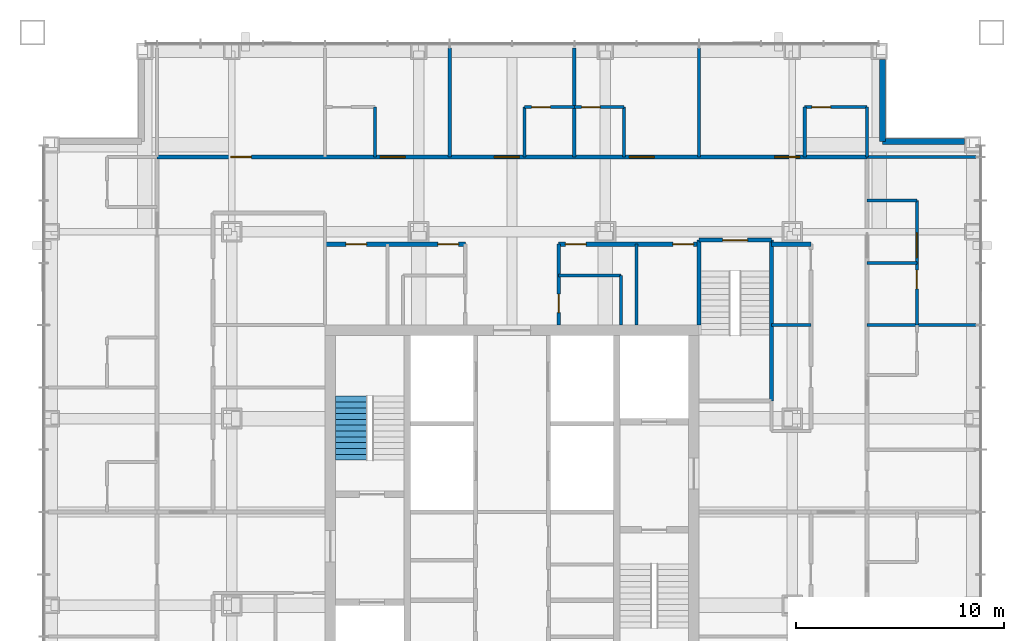
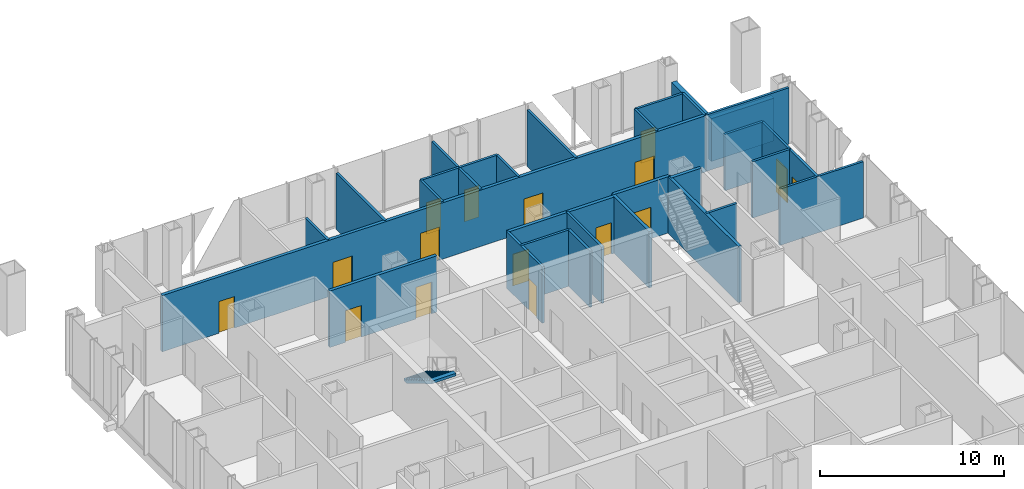
# One storey, part 16 of 18: 31 walls, 16 doors, 1 stair flight, 16 openings, 1 element without a shape of its own.
"""IFC4 building model written with IfcOpenShell, lengths in metres."""

from ifc_helpers import new_model, si_unit, direction, frame, frame_2d, origin, place, context, subcontext, project, spatial, polyline, rectangle, outline, extrude, material, layer, layer_set, type_object, element, fill, aggregate, save


model = new_model("IFC4")

# Units and contexts
model_context = context("Model", 3, precision=1e-05, world=origin(), true_north=direction((0.0, 1.0)))
body_context = subcontext(model_context, "Body", "Model", "MODEL_VIEW")
ifc_project = project(units=[si_unit("LENGTHUNIT", "METRE"), si_unit("AREAUNIT", "SQUARE_METRE"), si_unit("VOLUMEUNIT", "CUBIC_METRE"), si_unit("PLANEANGLEUNIT", "RADIAN"), si_unit("MASSUNIT", "GRAM", prefix="KILO")], contexts=[model_context])

# Site, building, storey
site_placement = place(None, origin())
site = spatial("IfcSite", under=ifc_project, at=site_placement, CompositionType="ELEMENT")
building_placement = place(site_placement, origin())
building = spatial("IfcBuilding", under=site, at=building_placement, Name="Malebo Sky Hospital", CompositionType="ELEMENT")
storey_placement = place(building_placement, frame((0.0, 0.0, 225.0)))
storey = spatial("IfcBuildingStorey", under=building, at=storey_placement, Name="L54", CompositionType="ELEMENT", Elevation=225.0)

# Wall, openings, doors
ifc_material_1 = material(Name="Gypsum board on steel studs", Category="steel")
ifc_layer_1 = layer(ifc_material_1, 0.199951171875)
ifc_layer_set_1 = layer_set([ifc_layer_1], Name="CORRIDOR WALL 200")
wall_type_1 = type_object("IfcWallType", Name="CORRIDOR WALL 200", PredefinedType="PARTITIONING", material=ifc_layer_set_1)
wall_1_placement = place(storey_placement, frame((42.89990234375, 79.10009765625, 0.0), z_axis=(0.0, 0.0, 1.0), x_axis=(1.0, 0.0, 0.0)))
wall_1 = element("IfcWall", 1, at=wall_1_placement, inside=storey, type_object=wall_type_1, Name="Corridor Wall 200 NCO", PredefinedType="PARTITIONING", context=body_context, shape_type="SweptSolid", body=[
    extrude(rectangle(XDim=34.2001953125, YDim=0.199951171875, at=frame_2d((17.10009765625, 0.0))), origin(), (0.0, 0.0, 1.0), 3.75),
])
opening_1_placement = place(wall_1_placement, frame((3.550048828125, 0.0, 0.0)))
opening_1 = element("IfcOpeningElement", 2, at=opening_1_placement, cuts=wall_1, Name="Opening D03", PredefinedType="OPENING", context=body_context, shape_type="SweptSolid", body=[
    extrude(rectangle(XDim=1.0, YDim=2.10009765625, at=frame_2d((0.5, 1.050048828125))), frame((0.0, 0.10986328125, 0.0), z_axis=(0.0, -1.0, 0.0), x_axis=(1.0, 0.0, 0.0)), (0.0, 0.0, 1.0), 0.219970703125),
])
opening_2_placement = place(wall_1_placement, frame((10.75, 0.0, 0.0)))
opening_2 = element("IfcOpeningElement", 3, at=opening_2_placement, cuts=wall_1, Name="Opening D01", PredefinedType="OPENING", context=body_context, shape_type="SweptSolid", body=[
    extrude(rectangle(XDim=1.199951171875, YDim=2.199951171875, at=frame_2d((0.60009765625, 1.10009765625))), frame((0.0, 0.10986328125, 0.0), z_axis=(0.0, -1.0, 0.0), x_axis=(1.0, 0.0, 0.0)), (0.0, 0.0, 1.0), 0.219970703125),
])
opening_3_placement = place(wall_1_placement, frame((16.25, 0.0, 0.0)))
opening_3 = element("IfcOpeningElement", 4, at=opening_3_placement, cuts=wall_1, Name="Opening D01", PredefinedType="OPENING", context=body_context, shape_type="SweptSolid", body=[
    extrude(rectangle(XDim=1.199951171875, YDim=2.199951171875, at=frame_2d((0.60009765625, 1.10009765625))), frame((0.0, 0.10986328125, 0.0), z_axis=(0.0, -1.0, 0.0), x_axis=(1.0, 0.0, 0.0)), (0.0, 0.0, 1.0), 0.219970703125),
])
opening_4_placement = place(wall_1_placement, frame((22.75, 0.0, 0.0)))
opening_4 = element("IfcOpeningElement", 5, at=opening_4_placement, cuts=wall_1, Name="Opening D01", PredefinedType="OPENING", context=body_context, shape_type="SweptSolid", body=[
    extrude(rectangle(XDim=1.199951171875, YDim=2.199951171875, at=frame_2d((0.60009765625, 1.10009765625))), frame((0.0, 0.10986328125, 0.0), z_axis=(0.0, -1.0, 0.0), x_axis=(1.0, 0.0, 0.0)), (0.0, 0.0, 1.0), 0.219970703125),
])
opening_5_placement = place(wall_1_placement, frame((29.75, 0.0, 0.0)))
opening_5 = element("IfcOpeningElement", 6, at=opening_5_placement, cuts=wall_1, Name="Opening D01", PredefinedType="OPENING", context=body_context, shape_type="SweptSolid", body=[
    extrude(rectangle(XDim=1.199951171875, YDim=2.199951171875, at=frame_2d((0.60009765625, 1.10009765625))), frame((0.0, 0.10986328125, 0.0), z_axis=(0.0, -1.0, 0.0), x_axis=(1.0, 0.0, 0.0)), (0.0, 0.0, 1.0), 0.219970703125),
])
ifc_material_2 = material(Name="Hardwood-faced door leaf in steel frame", Category="steel")
door_type_1 = type_object("IfcDoorType", Name="BED DOOR 1200", OperationType="SINGLE_SWING_LEFT", PredefinedType="DOOR", material=ifc_material_2)
door_1_placement = place(opening_2_placement, origin())
door_1 = element("IfcDoor", 7, at=door_1_placement, inside=storey, type_object=door_type_1, Name="Single bed room door", OperationType="SINGLE_SWING_LEFT", OverallHeight=2.199951171875, OverallWidth=1.199951171875, PredefinedType="DOOR", context=body_context, shape_type="SweptSolid", body=[
    extrude(rectangle(XDim=1.199951171875, YDim=2.199951171875, at=frame_2d((0.60009765625, 1.10009765625))), frame((0.0, 0.02490234375, 0.0), z_axis=(0.0, -1.0, 0.0), x_axis=(1.0, 0.0, 0.0)), (0.0, 0.0, 1.0), 0.050048828125),
])
fill(opening_2, door_1)
door_2_placement = place(opening_3_placement, origin())
door_2 = element("IfcDoor", 8, at=door_2_placement, inside=storey, type_object=door_type_1, Name="Single bed room door", OperationType="SINGLE_SWING_RIGHT", OverallHeight=2.199951171875, OverallWidth=1.199951171875, PredefinedType="DOOR", context=body_context, shape_type="SweptSolid", body=[
    extrude(rectangle(XDim=1.199951171875, YDim=2.199951171875, at=frame_2d((0.60009765625, 1.10009765625))), frame((0.0, 0.02490234375, 0.0), z_axis=(0.0, -1.0, 0.0), x_axis=(1.0, 0.0, 0.0)), (0.0, 0.0, 1.0), 0.050048828125),
])
fill(opening_3, door_2)
door_3_placement = place(opening_4_placement, origin())
door_3 = element("IfcDoor", 9, at=door_3_placement, inside=storey, type_object=door_type_1, Name="Single bed room door", OperationType="SINGLE_SWING_LEFT", OverallHeight=2.199951171875, OverallWidth=1.199951171875, PredefinedType="DOOR", context=body_context, shape_type="SweptSolid", body=[
    extrude(rectangle(XDim=1.199951171875, YDim=2.199951171875, at=frame_2d((0.60009765625, 1.10009765625))), frame((0.0, 0.02490234375, 0.0), z_axis=(0.0, -1.0, 0.0), x_axis=(1.0, 0.0, 0.0)), (0.0, 0.0, 1.0), 0.050048828125),
])
fill(opening_4, door_3)
door_4_placement = place(opening_5_placement, origin())
door_4 = element("IfcDoor", 10, at=door_4_placement, inside=storey, type_object=door_type_1, Name="Two-bed room door", OperationType="SINGLE_SWING_RIGHT", OverallHeight=2.199951171875, OverallWidth=1.199951171875, PredefinedType="DOOR", context=body_context, shape_type="SweptSolid", body=[
    extrude(rectangle(XDim=1.199951171875, YDim=2.199951171875, at=frame_2d((0.60009765625, 1.10009765625))), frame((0.0, 0.02490234375, 0.0), z_axis=(0.0, -1.0, 0.0), x_axis=(1.0, 0.0, 0.0)), (0.0, 0.0, 1.0), 0.050048828125),
])
fill(opening_5, door_4)
door_type_2 = type_object("IfcDoorType", Name="ROOM DOOR 1000", OperationType="SINGLE_SWING_LEFT", PredefinedType="DOOR", material=ifc_material_2)
door_5_placement = place(opening_1_placement, origin())
door_5 = element("IfcDoor", 11, at=door_5_placement, inside=storey, type_object=door_type_2, Name="School room door", OperationType="SINGLE_SWING_LEFT", OverallHeight=2.10009765625, OverallWidth=1.0, PredefinedType="DOOR", context=body_context, shape_type="SweptSolid", body=[
    extrude(rectangle(XDim=1.0, YDim=2.10009765625, at=frame_2d((0.5, 1.050048828125))), frame((0.0, 0.02490234375, 0.0), z_axis=(0.0, -1.0, 0.0), x_axis=(1.0, 0.0, 0.0)), (0.0, 0.0, 1.0), 0.050048828125),
])
fill(opening_1, door_5)

wall_2_placement = place(storey_placement, frame((51.0, 74.89990234375, 0.0), z_axis=(0.0, 0.0, 1.0), x_axis=(1.0, 0.0, 0.0)))
wall_2 = element("IfcWall", 12, at=wall_2_placement, inside=storey, type_object=wall_type_1, Name="Corridor Wall 200 NCI1", PredefinedType="PARTITIONING", context=body_context, shape_type="SweptSolid", body=[
    extrude(rectangle(XDim=6.75, YDim=0.199951171875, at=frame_2d((3.375, 0.0))), origin(), (0.0, 0.0, 1.0), 3.75),
])
opening_6_placement = place(wall_2_placement, frame((1.0, 0.0, 0.0)))
opening_6 = element("IfcOpeningElement", 13, at=opening_6_placement, cuts=wall_2, Name="Opening D03", PredefinedType="OPENING", context=body_context, shape_type="SweptSolid", body=[
    extrude(rectangle(XDim=1.0, YDim=2.10009765625, at=frame_2d((0.5, 1.050048828125))), frame((0.0, 0.10986328125, 0.0), z_axis=(0.0, -1.0, 0.0), x_axis=(1.0, 0.0, 0.0)), (0.0, 0.0, 1.0), 0.219970703125),
])
opening_7_placement = place(wall_2_placement, frame((5.425048828125, 0.0, 0.0)))
opening_7 = element("IfcOpeningElement", 14, at=opening_7_placement, cuts=wall_2, Name="Opening D03", PredefinedType="OPENING", context=body_context, shape_type="SweptSolid", body=[
    extrude(rectangle(XDim=1.0, YDim=2.10009765625, at=frame_2d((0.5, 1.050048828125))), frame((0.0, 0.10986328125, 0.0), z_axis=(0.0, -1.0, 0.0), x_axis=(1.0, 0.0, 0.0)), (0.0, 0.0, 1.0), 0.219970703125),
])
door_6_placement = place(opening_6_placement, origin())
door_6 = element("IfcDoor", 15, at=door_6_placement, inside=storey, type_object=door_type_2, Name="Sensory room door", OperationType="SINGLE_SWING_LEFT", OverallHeight=2.10009765625, OverallWidth=1.0, PredefinedType="DOOR", context=body_context, shape_type="SweptSolid", body=[
    extrude(rectangle(XDim=1.0, YDim=2.10009765625, at=frame_2d((0.5, 1.050048828125))), frame((0.0, 0.02490234375, 0.0), z_axis=(0.0, -1.0, 0.0), x_axis=(1.0, 0.0, 0.0)), (0.0, 0.0, 1.0), 0.050048828125),
])
fill(opening_6, door_6)
door_7_placement = place(opening_7_placement, origin())
door_7 = element("IfcDoor", 16, at=door_7_placement, inside=storey, type_object=door_type_2, Name="Equipment store door", OperationType="SINGLE_SWING_RIGHT", OverallHeight=2.10009765625, OverallWidth=1.0, PredefinedType="DOOR", context=body_context, shape_type="SweptSolid", body=[
    extrude(rectangle(XDim=1.0, YDim=2.10009765625, at=frame_2d((0.5, 1.050048828125))), frame((0.0, 0.02490234375, 0.0), z_axis=(0.0, -1.0, 0.0), x_axis=(1.0, 0.0, 0.0)), (0.0, 0.0, 1.0), 0.050048828125),
])
fill(opening_7, door_7)

wall_3_placement = place(storey_placement, frame((62.25, 74.89990234375, 0.0), z_axis=(0.0, 0.0, 1.0), x_axis=(1.0, 0.0, 0.0)))
wall_3 = element("IfcWall", 17, at=wall_3_placement, inside=storey, type_object=wall_type_1, Name="Corridor Wall 200 NCI2", PredefinedType="PARTITIONING", context=body_context, shape_type="SweptSolid", body=[
    extrude(rectangle(XDim=6.75, YDim=0.199951171875, at=frame_2d((3.375, 0.0))), origin(), (0.0, 0.0, 1.0), 3.75),
])
opening_8_placement = place(wall_3_placement, frame((0.324951171875, 0.0, 0.0)))
opening_8 = element("IfcOpeningElement", 18, at=opening_8_placement, cuts=wall_3, Name="Opening D03", PredefinedType="OPENING", context=body_context, shape_type="SweptSolid", body=[
    extrude(rectangle(XDim=1.0, YDim=2.10009765625, at=frame_2d((0.5, 1.050048828125))), frame((0.0, 0.10986328125, 0.0), z_axis=(0.0, -1.0, 0.0), x_axis=(1.0, 0.0, 0.0)), (0.0, 0.0, 1.0), 0.219970703125),
])
opening_9_placement = place(wall_3_placement, frame((5.5, 0.0, 0.0)))
opening_9 = element("IfcOpeningElement", 19, at=opening_9_placement, cuts=wall_3, Name="Opening D03", PredefinedType="OPENING", context=body_context, shape_type="SweptSolid", body=[
    extrude(rectangle(XDim=1.0, YDim=2.10009765625, at=frame_2d((0.5, 1.050048828125))), frame((0.0, 0.10986328125, 0.0), z_axis=(0.0, -1.0, 0.0), x_axis=(1.0, 0.0, 0.0)), (0.0, 0.0, 1.0), 0.219970703125),
])
door_8_placement = place(opening_8_placement, origin())
door_8 = element("IfcDoor", 20, at=door_8_placement, inside=storey, type_object=door_type_2, Name="Medication room door", OperationType="SINGLE_SWING_LEFT", OverallHeight=2.10009765625, OverallWidth=1.0, PredefinedType="DOOR", context=body_context, shape_type="SweptSolid", body=[
    extrude(rectangle(XDim=1.0, YDim=2.10009765625, at=frame_2d((0.5, 1.050048828125))), frame((0.0, 0.02490234375, 0.0), z_axis=(0.0, -1.0, 0.0), x_axis=(1.0, 0.0, 0.0)), (0.0, 0.0, 1.0), 0.050048828125),
])
fill(opening_8, door_8)
door_9_placement = place(opening_9_placement, origin())
door_9 = element("IfcDoor", 21, at=door_9_placement, inside=storey, type_object=door_type_2, Name="Teenage lounge door", OperationType="SINGLE_SWING_RIGHT", OverallHeight=2.10009765625, OverallWidth=1.0, PredefinedType="DOOR", context=body_context, shape_type="SweptSolid", body=[
    extrude(rectangle(XDim=1.0, YDim=2.10009765625, at=frame_2d((0.5, 1.050048828125))), frame((0.0, 0.02490234375, 0.0), z_axis=(0.0, -1.0, 0.0), x_axis=(1.0, 0.0, 0.0)), (0.0, 0.0, 1.0), 0.050048828125),
])
fill(opening_9, door_9)

# Walls
wall_4_placement = place(storey_placement, frame((72.5, 74.89990234375, 0.0), z_axis=(0.0, 0.0, 1.0), x_axis=(1.0, 0.0, 0.0)))
element("IfcWall", 22, at=wall_4_placement, inside=storey, type_object=wall_type_1, Name="Corridor Wall 200 NCI2/2", PredefinedType="PARTITIONING", context=body_context, shape_type="SweptSolid", body=[
    extrude(rectangle(XDim=1.89990234375, YDim=0.199951171875, at=frame_2d((0.949951171875, 0.0))), origin(), (0.0, 0.0, 1.0), 3.75),
])
ifc_material_3 = material(Name="Anodised aluminium rainscreen on steel framing", Category="steel")
ifc_layer_2 = layer(ifc_material_3, 0.300048828125)
ifc_layer_set_2 = layer_set([ifc_layer_2], Name="NOTCH RAINSCREEN WALL 300")
wall_type_2 = type_object("IfcWallType", Name="NOTCH RAINSCREEN WALL 300", PredefinedType="ELEMENTEDWALL", material=ifc_layer_set_2)
for number, where, z_axis, x_axis, name in (
    (23, (77.85009765625, 83.800048828125, 0.0), (0.0, 0.0, 1.0), (0.0, -1.0, 0.0), "Notch rainscreen wall N1 L54"),
    (24, (77.85009765625, 79.85009765625, 0.0), (0.0, 0.0, 1.0), (1.0, 0.0, 0.0), "Notch rainscreen wall N2 L54"),
):
    element("IfcWall", number, at=place(storey_placement, frame(where, z_axis=z_axis, x_axis=x_axis)), inside=storey, type_object=wall_type_2, Name=name, PredefinedType="ELEMENTEDWALL", context=body_context, shape_type="SweptSolid", body=[
        extrude(rectangle(XDim=3.949951171875, YDim=0.300048828125, at=frame_2d((1.97509765625, 0.0))), origin(), (0.0, 0.0, 1.0), 2.85009765625),
    ])
ifc_layer_3 = layer(ifc_material_1, 0.14990234375)
ifc_layer_set_3 = layer_set([ifc_layer_3], Name="PARTITION 150")
wall_type_3 = type_object("IfcWallType", Name="PARTITION 150", PredefinedType="PARTITIONING", material=ifc_layer_set_3)
for number, where, z_axis, x_axis, name in (
    (25, (57.0, 79.10009765625, 0.0), (0.0, 0.0, 1.0), (0.0, 1.0, 0.0), "Partition 150 NP-3.0"),
    (26, (63.0, 79.10009765625, 0.0), (0.0, 0.0, 1.0), (0.0, 1.0, 0.0), "Partition 150 NP+3.0"),
    (27, (69.0, 79.10009765625, 0.0), (0.0, 0.0, 1.0), (0.0, 1.0, 0.0), "Partition 150 NP+9.0"),
):
    element("IfcWall", number, at=place(storey_placement, frame(where, z_axis=z_axis, x_axis=x_axis)), inside=storey, type_object=wall_type_3, Name=name, PredefinedType="PARTITIONING", context=body_context, shape_type="SweptSolid", body=[
        extrude(rectangle(XDim=5.25, YDim=0.14990234375, at=frame_2d((2.625, 0.0))), origin(), (0.0, 0.0, 1.0), 3.75),
    ])
wall_5_placement = place(storey_placement, frame((53.39990234375, 79.10009765625, 0.0), z_axis=(0.0, 0.0, 1.0), x_axis=(0.0, 1.0, 0.0)))
element("IfcWall", 28, at=wall_5_placement, inside=storey, type_object=wall_type_3, Name="Partition 150 NE1S", PredefinedType="PARTITIONING", context=body_context, shape_type="SweptSolid", body=[
    extrude(rectangle(XDim=2.39990234375, YDim=0.14990234375, at=frame_2d((1.199951171875, 0.0))), origin(), (0.0, 0.0, 1.0), 3.75),
])

# Wall, opening, door
wall_6_placement = place(storey_placement, frame((60.60009765625, 81.5, 0.0), z_axis=(0.0, 0.0, 1.0), x_axis=(1.0, 0.0, 0.0)))
wall_6 = element("IfcWall", 29, at=wall_6_placement, inside=storey, type_object=wall_type_3, Name="Partition 150 NE2F", PredefinedType="PARTITIONING", context=body_context, shape_type="SweptSolid", body=[
    extrude(rectangle(XDim=2.39990234375, YDim=0.14990234375, at=frame_2d((1.199951171875, 0.0))), origin(), (0.0, 0.0, 1.0), 3.75),
])
opening_10_placement = place(wall_6_placement, frame((0.35009765625, 0.0, 0.0)))
opening_10 = element("IfcOpeningElement", 30, at=opening_10_placement, cuts=wall_6, Name="Opening D02", PredefinedType="OPENING", context=body_context, shape_type="SweptSolid", body=[
    extrude(rectangle(XDim=0.89990234375, YDim=2.10009765625, at=frame_2d((0.449951171875, 1.050048828125))), frame((0.0, 0.0849609375, 0.0), z_axis=(0.0, -1.0, 0.0), x_axis=(1.0, 0.0, 0.0)), (0.0, 0.0, 1.0), 0.169921875),
])
door_type_3 = type_object("IfcDoorType", Name="EN-SUITE DOOR 900", OperationType="SINGLE_SWING_LEFT", PredefinedType="DOOR", material=ifc_material_2)
door_10_placement = place(opening_10_placement, origin())
door_10 = element("IfcDoor", 31, at=door_10_placement, inside=storey, type_object=door_type_3, Name="En-suite door", OperationType="SINGLE_SWING_LEFT", OverallHeight=2.10009765625, OverallWidth=0.89990234375, PredefinedType="DOOR", context=body_context, shape_type="SweptSolid", body=[
    extrude(rectangle(XDim=0.89990234375, YDim=2.10009765625, at=frame_2d((0.449951171875, 1.050048828125))), frame((0.0, 0.02490234375, 0.0), z_axis=(0.0, -1.0, 0.0), x_axis=(1.0, 0.0, 0.0)), (0.0, 0.0, 1.0), 0.050048828125),
])
fill(opening_10, door_10)

# Wall
wall_7_placement = place(storey_placement, frame((60.60009765625, 79.10009765625, 0.0), z_axis=(0.0, 0.0, 1.0), x_axis=(0.0, 1.0, 0.0)))
element("IfcWall", 32, at=wall_7_placement, inside=storey, type_object=wall_type_3, Name="Partition 150 NE2S", PredefinedType="PARTITIONING", context=body_context, shape_type="SweptSolid", body=[
    extrude(rectangle(XDim=2.39990234375, YDim=0.14990234375, at=frame_2d((1.199951171875, 0.0))), origin(), (0.0, 0.0, 1.0), 3.75),
])

# Wall, opening, door
wall_8_placement = place(storey_placement, frame((63.0, 81.5, 0.0), z_axis=(0.0, 0.0, 1.0), x_axis=(1.0, 0.0, 0.0)))
wall_8 = element("IfcWall", 33, at=wall_8_placement, inside=storey, type_object=wall_type_3, Name="Partition 150 NE3F", PredefinedType="PARTITIONING", context=body_context, shape_type="SweptSolid", body=[
    extrude(rectangle(XDim=2.39990234375, YDim=0.14990234375, at=frame_2d((1.199951171875, 0.0))), origin(), (0.0, 0.0, 1.0), 3.75),
])
opening_11_placement = place(wall_8_placement, frame((0.35009765625, 0.0, 0.0)))
opening_11 = element("IfcOpeningElement", 34, at=opening_11_placement, cuts=wall_8, Name="Opening D02", PredefinedType="OPENING", context=body_context, shape_type="SweptSolid", body=[
    extrude(rectangle(XDim=0.89990234375, YDim=2.10009765625, at=frame_2d((0.449951171875, 1.050048828125))), frame((0.0, 0.0849609375, 0.0), z_axis=(0.0, -1.0, 0.0), x_axis=(1.0, 0.0, 0.0)), (0.0, 0.0, 1.0), 0.169921875),
])
door_11_placement = place(opening_11_placement, origin())
door_11 = element("IfcDoor", 35, at=door_11_placement, inside=storey, type_object=door_type_3, Name="En-suite door", OperationType="SINGLE_SWING_LEFT", OverallHeight=2.10009765625, OverallWidth=0.89990234375, PredefinedType="DOOR", context=body_context, shape_type="SweptSolid", body=[
    extrude(rectangle(XDim=0.89990234375, YDim=2.10009765625, at=frame_2d((0.449951171875, 1.050048828125))), frame((0.0, 0.02490234375, 0.0), z_axis=(0.0, -1.0, 0.0), x_axis=(1.0, 0.0, 0.0)), (0.0, 0.0, 1.0), 0.050048828125),
])
fill(opening_11, door_11)

# Wall
wall_9_placement = place(storey_placement, frame((65.39990234375, 79.10009765625, 0.0), z_axis=(0.0, 0.0, 1.0), x_axis=(0.0, 1.0, 0.0)))
element("IfcWall", 36, at=wall_9_placement, inside=storey, type_object=wall_type_3, Name="Partition 150 NE3S", PredefinedType="PARTITIONING", context=body_context, shape_type="SweptSolid", body=[
    extrude(rectangle(XDim=2.39990234375, YDim=0.14990234375, at=frame_2d((1.199951171875, 0.0))), origin(), (0.0, 0.0, 1.0), 3.75),
])

# Wall, opening, door
wall_10_placement = place(storey_placement, frame((74.10009765625, 81.5, 0.0), z_axis=(0.0, 0.0, 1.0), x_axis=(1.0, 0.0, 0.0)))
wall_10 = element("IfcWall", 37, at=wall_10_placement, inside=storey, type_object=wall_type_3, Name="Partition 150 NE4F", PredefinedType="PARTITIONING", context=body_context, shape_type="SweptSolid", body=[
    extrude(rectangle(XDim=3.0, YDim=0.14990234375, at=frame_2d((1.5, 0.0))), origin(), (0.0, 0.0, 1.0), 3.75),
])
opening_12_placement = place(wall_10_placement, frame((0.35009765625, 0.0, 0.0)))
opening_12 = element("IfcOpeningElement", 38, at=opening_12_placement, cuts=wall_10, Name="Opening D02", PredefinedType="OPENING", context=body_context, shape_type="SweptSolid", body=[
    extrude(rectangle(XDim=0.89990234375, YDim=2.10009765625, at=frame_2d((0.449951171875, 1.050048828125))), frame((0.0, 0.0849609375, 0.0), z_axis=(0.0, -1.0, 0.0), x_axis=(1.0, 0.0, 0.0)), (0.0, 0.0, 1.0), 0.169921875),
])
door_12_placement = place(opening_12_placement, origin())
door_12 = element("IfcDoor", 39, at=door_12_placement, inside=storey, type_object=door_type_3, Name="En-suite door", OperationType="SINGLE_SWING_LEFT", OverallHeight=2.10009765625, OverallWidth=0.89990234375, PredefinedType="DOOR", context=body_context, shape_type="SweptSolid", body=[
    extrude(rectangle(XDim=0.89990234375, YDim=2.10009765625, at=frame_2d((0.449951171875, 1.050048828125))), frame((0.0, 0.02490234375, 0.0), z_axis=(0.0, -1.0, 0.0), x_axis=(1.0, 0.0, 0.0)), (0.0, 0.0, 1.0), 0.050048828125),
])
fill(opening_12, door_12)

# Walls
for number, where, z_axis, x_axis, name in (
    (40, (74.10009765625, 79.10009765625, 0.0), (0.0, 0.0, 1.0), (0.0, 1.0, 0.0), "Partition 150 NE4S"),
    (41, (77.10009765625, 79.10009765625, 0.0), (0.0, 0.0, 1.0), (0.0, 1.0, 0.0), "Partition 150 NEZ"),
):
    element("IfcWall", number, at=place(storey_placement, frame(where, z_axis=z_axis, x_axis=x_axis)), inside=storey, type_object=wall_type_3, Name=name, PredefinedType="PARTITIONING", context=body_context, shape_type="SweptSolid", body=[
        extrude(rectangle(XDim=2.39990234375, YDim=0.14990234375, at=frame_2d((1.199951171875, 0.0))), origin(), (0.0, 0.0, 1.0), 3.75),
    ])

# Wall, opening, door
wall_11_placement = place(storey_placement, frame((62.25, 71.0, 0.0), z_axis=(0.0, 0.0, 1.0), x_axis=(0.0, 1.0, 0.0)))
wall_11 = element("IfcWall", 42, at=wall_11_placement, inside=storey, type_object=wall_type_3, Name="Partition 150 NSPB", PredefinedType="PARTITIONING", context=body_context, shape_type="SweptSolid", body=[
    extrude(rectangle(XDim=3.89990234375, YDim=0.14990234375, at=frame_2d((1.949951171875, 0.0))), origin(), (0.0, 0.0, 1.0), 3.75),
])
opening_13_placement = place(wall_11_placement, frame((0.60009765625, 0.0, 0.0)))
opening_13 = element("IfcOpeningElement", 43, at=opening_13_placement, cuts=wall_11, Name="Opening D04", PredefinedType="OPENING", context=body_context, shape_type="SweptSolid", body=[
    extrude(rectangle(XDim=0.89990234375, YDim=2.10009765625, at=frame_2d((0.449951171875, 1.050048828125))), frame((0.0, 0.0849609375, 0.0), z_axis=(0.0, -1.0, 0.0), x_axis=(1.0, 0.0, 0.0)), (0.0, 0.0, 1.0), 0.169921875),
])
door_type_4 = type_object("IfcDoorType", Name="ROOM DOOR 900", OperationType="SINGLE_SWING_LEFT", PredefinedType="DOOR", material=ifc_material_2)
door_13_placement = place(opening_13_placement, origin())
door_13 = element("IfcDoor", 44, at=door_13_placement, inside=storey, type_object=door_type_4, Name="Accessible WC door", OperationType="SINGLE_SWING_LEFT", OverallHeight=2.10009765625, OverallWidth=0.89990234375, PredefinedType="DOOR", context=body_context, shape_type="SweptSolid", body=[
    extrude(rectangle(XDim=0.89990234375, YDim=2.10009765625, at=frame_2d((0.449951171875, 1.050048828125))), frame((0.0, 0.02490234375, 0.0), z_axis=(0.0, -1.0, 0.0), x_axis=(1.0, 0.0, 0.0)), (0.0, 0.0, 1.0), 0.050048828125),
])
fill(opening_13, door_13)

# Walls
wall_12_placement = place(storey_placement, frame((66.0, 71.0, 0.0), z_axis=(0.0, 0.0, 1.0), x_axis=(0.0, 1.0, 0.0)))
element("IfcWall", 45, at=wall_12_placement, inside=storey, type_object=wall_type_3, Name="Partition 150 NSP+6.0", PredefinedType="PARTITIONING", context=body_context, shape_type="SweptSolid", body=[
    extrude(rectangle(XDim=3.89990234375, YDim=0.14990234375, at=frame_2d((1.949951171875, 0.0))), origin(), (0.0, 0.0, 1.0), 3.75),
])
wall_13_placement = place(storey_placement, frame((62.25, 73.39990234375, 0.0), z_axis=(0.0, 0.0, 1.0), x_axis=(1.0, 0.0, 0.0)))
element("IfcWall", 46, at=wall_13_placement, inside=storey, type_object=wall_type_3, Name="Partition 150 NSX2", PredefinedType="PARTITIONING", context=body_context, shape_type="SweptSolid", body=[
    extrude(rectangle(XDim=3.0, YDim=0.14990234375, at=frame_2d((1.5, 0.0))), origin(), (0.0, 0.0, 1.0), 3.75),
])
wall_14_placement = place(storey_placement, frame((65.25, 71.0, 0.0), z_axis=(0.0, 0.0, 1.0), x_axis=(0.0, 1.0, 0.0)))
element("IfcWall", 47, at=wall_14_placement, inside=storey, type_object=wall_type_3, Name="Partition 150 NSY2", PredefinedType="PARTITIONING", context=body_context, shape_type="SweptSolid", body=[
    extrude(rectangle(XDim=2.39990234375, YDim=0.14990234375, at=frame_2d((1.199951171875, 0.0))), origin(), (0.0, 0.0, 1.0), 3.75),
])
for number, where, z_axis, x_axis, name in (
    (48, (77.10009765625, 71.0, 0.0), (0.0, 0.0, 1.0), (1.0, 0.0, 0.0), "Partition 150 EP-9.0"),
    (49, (77.10009765625, 79.10009765625, 0.0), (0.0, 0.0, 1.0), (1.0, 0.0, 0.0), "Partition 150 EP0"),
):
    element("IfcWall", number, at=place(storey_placement, frame(where, z_axis=z_axis, x_axis=x_axis)), inside=storey, type_object=wall_type_3, Name=name, PredefinedType="PARTITIONING", context=body_context, shape_type="SweptSolid", body=[
        extrude(rectangle(XDim=5.25, YDim=0.14990234375, at=frame_2d((2.625, 0.0))), origin(), (0.0, 0.0, 1.0), 3.75),
    ])

# Wall, opening, door
wall_15_placement = place(storey_placement, frame((79.5, 74.0, 0.0), z_axis=(0.0, 0.0, 1.0), x_axis=(0.0, -1.0, 0.0)))
wall_15 = element("IfcWall", 50, at=wall_15_placement, inside=storey, type_object=wall_type_3, Name="Partition 150 EE0F", PredefinedType="PARTITIONING", context=body_context, shape_type="SweptSolid", body=[
    extrude(rectangle(XDim=3.0, YDim=0.14990234375, at=frame_2d((1.5, 0.0))), origin(), (0.0, 0.0, 1.0), 3.75),
])
opening_14_placement = place(wall_15_placement, frame((0.35009765625, 0.0, 0.0)))
opening_14 = element("IfcOpeningElement", 51, at=opening_14_placement, cuts=wall_15, Name="Opening D02", PredefinedType="OPENING", context=body_context, shape_type="SweptSolid", body=[
    extrude(rectangle(XDim=0.89990234375, YDim=2.10009765625, at=frame_2d((0.449951171875, 1.050048828125))), frame((0.0, 0.0849609375, 0.0), z_axis=(0.0, -1.0, 0.0), x_axis=(1.0, 0.0, 0.0)), (0.0, 0.0, 1.0), 0.169921875),
])
door_14_placement = place(opening_14_placement, origin())
door_14 = element("IfcDoor", 52, at=door_14_placement, inside=storey, type_object=door_type_3, Name="En-suite door", OperationType="SINGLE_SWING_LEFT", OverallHeight=2.10009765625, OverallWidth=0.89990234375, PredefinedType="DOOR", context=body_context, shape_type="SweptSolid", body=[
    extrude(rectangle(XDim=0.89990234375, YDim=2.10009765625, at=frame_2d((0.449951171875, 1.050048828125))), frame((0.0, 0.02490234375, 0.0), z_axis=(0.0, -1.0, 0.0), x_axis=(1.0, 0.0, 0.0)), (0.0, 0.0, 1.0), 0.050048828125),
])
fill(opening_14, door_14)

# Walls
wall_16_placement = place(storey_placement, frame((77.10009765625, 74.0, 0.0), z_axis=(0.0, 0.0, 1.0), x_axis=(1.0, 0.0, 0.0)))
element("IfcWall", 53, at=wall_16_placement, inside=storey, type_object=wall_type_3, Name="Partition 150 EE0S", PredefinedType="PARTITIONING", context=body_context, shape_type="SweptSolid", body=[
    extrude(rectangle(XDim=2.39990234375, YDim=0.14990234375, at=frame_2d((1.199951171875, 0.0))), origin(), (0.0, 0.0, 1.0), 3.75),
])
wall_17_placement = place(storey_placement, frame((72.5, 71.0, 0.0), z_axis=(0.0, 0.0, 1.0), x_axis=(1.0, 0.0, 0.0)))
element("IfcWall", 54, at=wall_17_placement, inside=storey, type_object=wall_type_3, Name="Partition 150 ESP0", PredefinedType="PARTITIONING", context=body_context, shape_type="SweptSolid", body=[
    extrude(rectangle(XDim=1.89990234375, YDim=0.14990234375, at=frame_2d((0.949951171875, 0.0))), origin(), (0.0, 0.0, 1.0), 3.75),
])

# Wall, opening, door
ifc_material_4 = material(Name="Sealed gypsum board on steel studs, taped to the slab", Category="steel")
ifc_layer_4 = layer(ifc_material_4, 0.14990234375)
ifc_layer_set_4 = layer_set([ifc_layer_4], Name="SEALED ISOLATION PARTITION 150")
wall_type_4 = type_object("IfcWallType", Name="SEALED ISOLATION PARTITION 150", PredefinedType="PARTITIONING", material=ifc_layer_set_4)
wall_18_placement = place(storey_placement, frame((79.5, 77.0, 0.0), z_axis=(0.0, 0.0, 1.0), x_axis=(0.0, -1.0, 0.0)))
wall_18 = element("IfcWall", 55, at=wall_18_placement, inside=storey, type_object=wall_type_4, Name="Sealed Isolation Partition 150 EA0F", PredefinedType="PARTITIONING", context=body_context, shape_type="SweptSolid", body=[
    extrude(rectangle(XDim=3.0, YDim=0.14990234375, at=frame_2d((1.5, 0.0))), origin(), (0.0, 0.0, 1.0), 3.75),
])
opening_15_placement = place(wall_18_placement, frame((1.550048828125, 0.0, 0.0)))
opening_15 = element("IfcOpeningElement", 56, at=opening_15_placement, cuts=wall_18, Name="Opening D19", PredefinedType="OPENING", context=body_context, shape_type="SweptSolid", body=[
    extrude(rectangle(XDim=1.199951171875, YDim=2.199951171875, at=frame_2d((0.60009765625, 1.10009765625))), frame((0.0, 0.0849609375, 0.0), z_axis=(0.0, -1.0, 0.0), x_axis=(1.0, 0.0, 0.0)), (0.0, 0.0, 1.0), 0.169921875),
])
ifc_material_5 = material(Name="Hardwood-faced door leaf with perimeter seals in steel frame", Category="steel")
door_type_5 = type_object("IfcDoorType", Name="SEALED ISOLATION ROOM DOOR 1200", OperationType="SINGLE_SWING_LEFT", PredefinedType="DOOR", material=ifc_material_5)
door_15_placement = place(opening_15_placement, origin())
door_15 = element("IfcDoor", 57, at=door_15_placement, inside=storey, type_object=door_type_5, Name="Isolation room door", OperationType="SINGLE_SWING_RIGHT", OverallHeight=2.199951171875, OverallWidth=1.199951171875, PredefinedType="DOOR", context=body_context, shape_type="SweptSolid", body=[
    extrude(rectangle(XDim=1.199951171875, YDim=2.199951171875, at=frame_2d((0.60009765625, 1.10009765625))), frame((0.0, 0.02490234375, 0.0), z_axis=(0.0, -1.0, 0.0), x_axis=(1.0, 0.0, 0.0)), (0.0, 0.0, 1.0), 0.050048828125),
])
fill(opening_15, door_15)

# Walls
wall_19_placement = place(storey_placement, frame((77.10009765625, 77.0, 0.0), z_axis=(0.0, 0.0, 1.0), x_axis=(1.0, 0.0, 0.0)))
element("IfcWall", 58, at=wall_19_placement, inside=storey, type_object=wall_type_4, Name="Sealed Isolation Partition 150 EA0S", PredefinedType="PARTITIONING", context=body_context, shape_type="SweptSolid", body=[
    extrude(rectangle(XDim=2.39990234375, YDim=0.14990234375, at=frame_2d((1.199951171875, 0.0))), origin(), (0.0, 0.0, 1.0), 3.75),
])
ifc_material_6 = material(Name="Concrete C40/50", Category="concrete")
ifc_layer_5 = layer(ifc_material_6, 0.199951171875)
ifc_layer_set_5 = layer_set([ifc_layer_5], Name="STAIR ENCLOSURE WALL 200")
wall_type_5 = type_object("IfcWallType", Name="STAIR ENCLOSURE WALL 200", PredefinedType="SOLIDWALL", material=ifc_layer_set_5)
wall_20_placement = place(storey_placement, frame((69.0, 71.0, 0.0), z_axis=(0.0, 0.0, 1.0), x_axis=(0.0, 1.0, 0.0)))
element("IfcWall", 59, at=wall_20_placement, inside=storey, type_object=wall_type_5, Name="Stair Enclosure Wall 200 ST3W", PredefinedType="SOLIDWALL", context=body_context, shape_type="SweptSolid", body=[
    extrude(rectangle(XDim=4.10009765625, YDim=0.199951171875, at=frame_2d((2.050048828125, 0.0))), origin(), (0.0, 0.0, 1.0), 3.75),
])
wall_21_placement = place(storey_placement, frame((72.5, 67.35009765625, 0.0), z_axis=(0.0, 0.0, 1.0), x_axis=(0.0, 1.0, 0.0)))
element("IfcWall", 60, at=wall_21_placement, inside=storey, type_object=wall_type_5, Name="Stair Enclosure Wall 200 ST3E", PredefinedType="SOLIDWALL", context=body_context, shape_type="SweptSolid", body=[
    extrude(rectangle(XDim=7.75, YDim=0.199951171875, at=frame_2d((3.875, 0.0))), origin(), (0.0, 0.0, 1.0), 3.75),
])

# Wall, opening, door
wall_22_placement = place(storey_placement, frame((69.0, 75.10009765625, 0.0), z_axis=(0.0, 0.0, 1.0), x_axis=(1.0, 0.0, 0.0)))
wall_22 = element("IfcWall", 61, at=wall_22_placement, inside=storey, type_object=wall_type_5, Name="Stair Enclosure Wall 200 ST3N", PredefinedType="SOLIDWALL", context=body_context, shape_type="SweptSolid", body=[
    extrude(rectangle(XDim=3.5, YDim=0.199951171875, at=frame_2d((1.75, 0.0))), origin(), (0.0, 0.0, 1.0), 3.75),
])
opening_16_placement = place(wall_22_placement, frame((1.14990234375, 0.0, 0.0)))
opening_16 = element("IfcOpeningElement", 62, at=opening_16_placement, cuts=wall_22, Name="Opening D08", PredefinedType="OPENING", context=body_context, shape_type="SweptSolid", body=[
    extrude(rectangle(XDim=1.199951171875, YDim=2.10009765625, at=frame_2d((0.60009765625, 1.050048828125))), frame((0.0, 0.10986328125, 0.0), z_axis=(0.0, -1.0, 0.0), x_axis=(1.0, 0.0, 0.0)), (0.0, 0.0, 1.0), 0.219970703125),
])
door_type_6 = type_object("IfcDoorType", Name="STAIR DOOR 1200", OperationType="SINGLE_SWING_LEFT", PredefinedType="DOOR", material=ifc_material_2)
door_16_placement = place(opening_16_placement, origin())
door_16 = element("IfcDoor", 63, at=door_16_placement, inside=storey, type_object=door_type_6, Name="Stair S3 door", OperationType="SINGLE_SWING_LEFT", OverallHeight=2.10009765625, OverallWidth=1.199951171875, PredefinedType="DOOR", context=body_context, shape_type="SweptSolid", body=[
    extrude(rectangle(XDim=1.199951171875, YDim=2.10009765625, at=frame_2d((0.60009765625, 1.050048828125))), frame((0.0, 0.02490234375, 0.0), z_axis=(0.0, -1.0, 0.0), x_axis=(1.0, 0.0, 0.0)), (0.0, 0.0, 1.0), 0.050048828125),
])
fill(opening_16, door_16)

# Stair, stair flight
stair_type = type_object("IfcStairType", Name="HALF-TURN STAIR 1500 R167", PredefinedType="HALF_TURN_STAIR", material=ifc_material_6)
stair_placement = place(storey_placement, origin())
stair = element("IfcStair", 64, at=stair_placement, inside=storey, type_object=stair_type, Name="Stair S1 L54 type ST1", PredefinedType="HALF_TURN_STAIR")
stair_flight_type = type_object("IfcStairFlightType", Name="STAIR FLIGHT 1500 R167", PredefinedType="STRAIGHT", material=ifc_material_6)
stair_flight_placement = place(storey_placement, frame((52.25, 67.580078125, 2.0), z_axis=(0.0, 0.0, 1.0), x_axis=(0.0, -1.0, 0.0)))
stair_flight = element("IfcStairFlight", 65, at=stair_flight_placement, type_object=stair_flight_type, Name="S1 flight 2 type SF1", NumberOfRisers=12, NumberOfTreads=11, PredefinedType="STRAIGHT", RiserHeight=0.166666667, TreadLength=0.28, context=body_context, shape_type="SweptSolid", body=[
    extrude(outline(polyline([(0.0, 0.0), (0.0, 0.166748046875), (0.280029296875, 0.166748046875), (0.280029296875, 0.333251953125), (0.56005859375, 0.333251953125), (0.56005859375, 0.5), (0.840087890625, 0.5), (0.840087890625, 0.666748046875), (1.1201171875, 0.666748046875), (1.1201171875, 0.833251953125), (1.39990234375, 0.833251953125), (1.39990234375, 1.0), (1.679931640625, 1.0), (1.679931640625, 1.166748046875), (1.9599609375, 1.166748046875), (1.9599609375, 1.333251953125), (2.239990234375, 1.333251953125), (2.239990234375, 1.5), (2.52001953125, 1.5), (2.52001953125, 1.666748046875), (2.800048828125, 1.666748046875), (2.800048828125, 1.833251953125), (3.080078125, 1.833251953125), (3.080078125, 2.0), (3.080078125, 1.658935546875), (0.29296875, 0.0), (0.0, 0.0)])), frame((0.0, 0.75, 0.0), z_axis=(0.0, -1.0, 0.0), x_axis=(1.0, 0.0, 0.0)), (0.0, 0.0, 1.0), 1.5),
])
aggregate(stair, [stair_flight])

save(model, "model.ifc")
